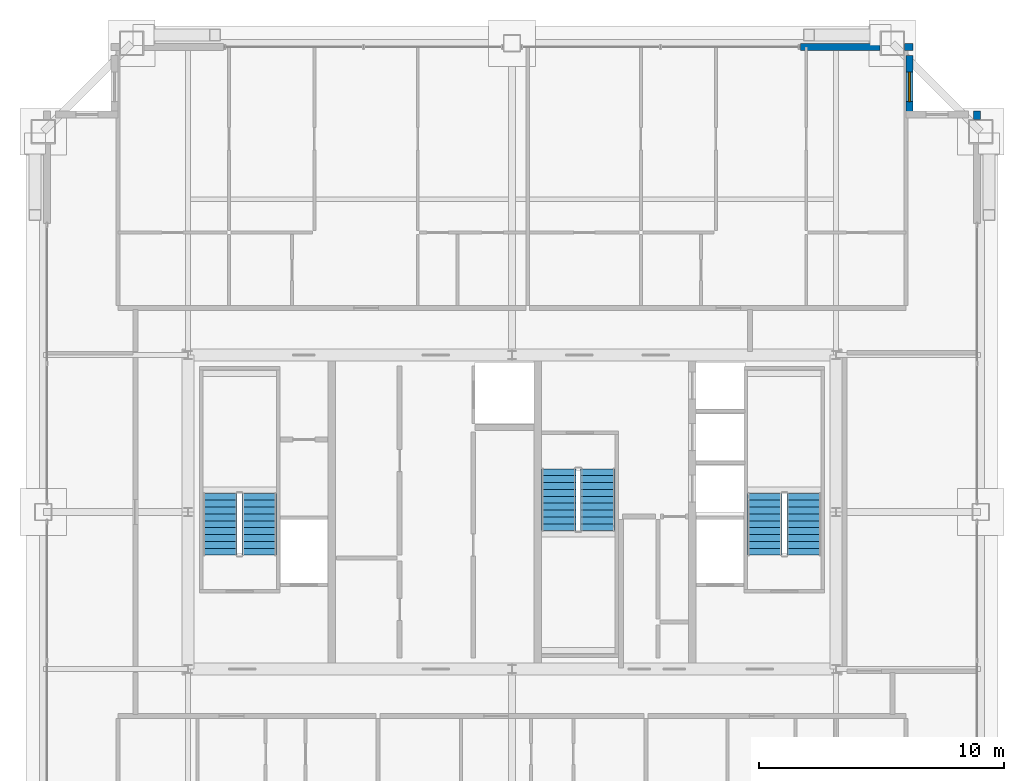
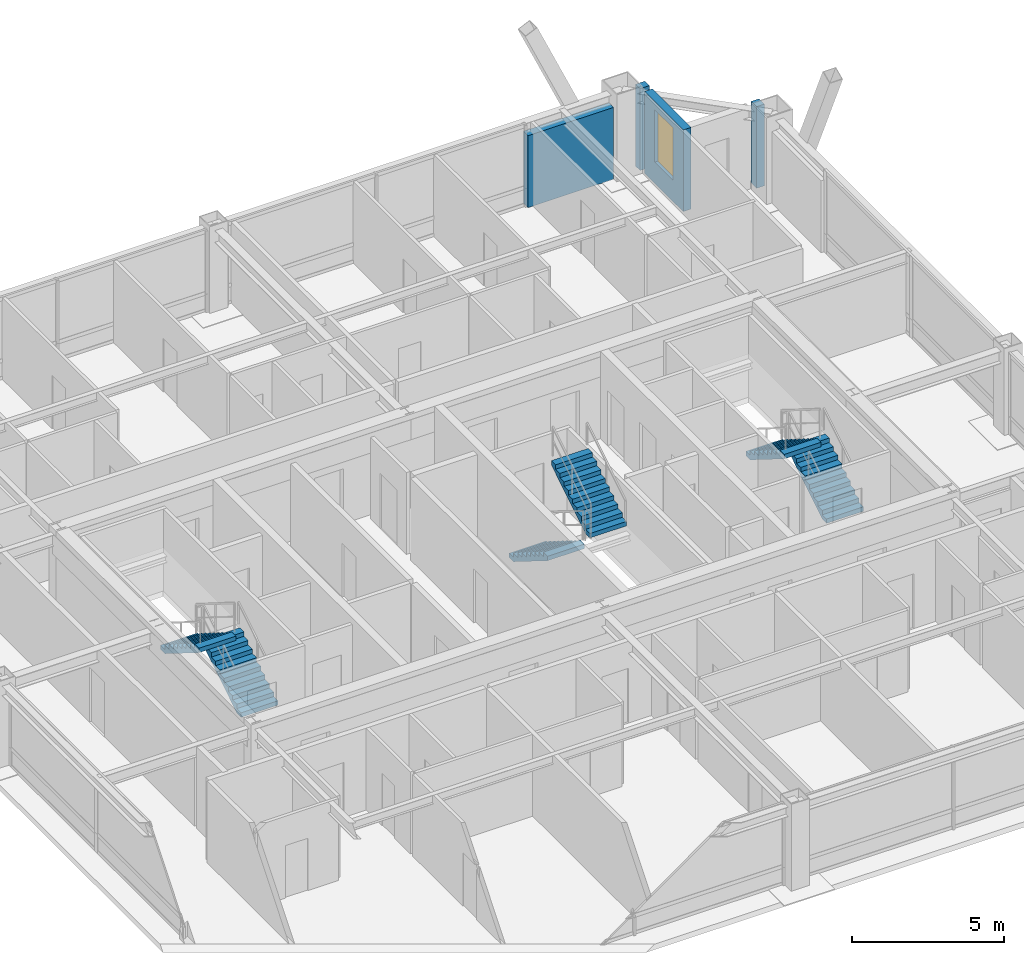
# One storey, part 34 of 35: 6 stair flights, 4 walls, 1 window, 1 opening, 3 elements without a shape of their own.
"""IFC4 building model written with IfcOpenShell, lengths in metres."""

import ifcopenshell
import ifcopenshell.guid

model = None  # the IFC model being written
_history = None  # IfcOwnerHistory: only IFC2X3 demands one
_inside = {}  # id of a spatial element -> (the spatial element, [elements in it])
_under = {}  # id of a project, library or spatial element -> (it, [spatial elements below it])
_declared = {}  # id of a project -> (the project, [libraries it declares])
_typed = {}  # id of a type object -> (the type object, [elements of that type])
_made_of = {}  # id of a material, layer set ... -> (it, [elements and type objects made of it])


def new_model(schema):
    """Start an empty IFC model of exactly this schema.

    Asked for "IFC4X3", IfcOpenShell would pick the latest addendum, in which some entities
    have other attributes; the version numbers below select the first issue.
    IFC2X3 requires an IfcOwnerHistory on every rooted entity: one is made here for all.
    """
    global model, _history
    if schema == "IFC4X3":
        model = ifcopenshell.file(schema_version=(4, 3, 0, 0))
    else:
        model = ifcopenshell.file(schema=schema)
    _inside.clear()
    _under.clear()
    _declared.clear()
    _typed.clear()
    _made_of.clear()
    _history = None
    if model.schema == "IFC2X3":
        org = make("IfcOrganization", Name="unknown")
        user = make(
            "IfcPersonAndOrganization",
            ThePerson=make("IfcPerson", FamilyName="unknown"),
            TheOrganization=org,
        )
        app = make(
            "IfcApplication",
            ApplicationDeveloper=org,
            Version="unknown",
            ApplicationFullName="unknown",
            ApplicationIdentifier="unknown",
        )
        _history = make(
            "IfcOwnerHistory",
            OwningUser=user,
            OwningApplication=app,
            ChangeAction="ADDED",
            CreationDate=0,
        )
    return model


def make(cls, **values):
    """One entity of the class cls with the attributes given. An attribute that is None is left unset."""
    return model.create_entity(
        cls, **{name: value for name, value in values.items() if value is not None}
    )


def rooted(cls, **values):
    """An entity with a GlobalId (a new one), such as an element, a storey or a relation."""
    return make(cls, GlobalId=ifcopenshell.guid.new(), OwnerHistory=_history, **values)


def si_unit(unit_type, name, prefix=None):
    """IfcSIUnit, for example si_unit("LENGTHUNIT", "METRE", prefix="MILLI")."""
    return make("IfcSIUnit", UnitType=unit_type, Prefix=prefix, Name=name)


def assignment(units):
    """IfcUnitAssignment: the units of a project."""
    return None if units is None else make("IfcUnitAssignment", Units=units)


def point(xyz):
    """IfcCartesianPoint."""
    return None if xyz is None else make("IfcCartesianPoint", Coordinates=xyz)


def direction(xyz):
    """IfcDirection."""
    return None if xyz is None else make("IfcDirection", DirectionRatios=xyz)


def frame(location, z_axis=None, x_axis=None):
    """IfcAxis2Placement3D, a coordinate frame: its origin and axes. An axis left out is left unset."""
    return make(
        "IfcAxis2Placement3D",
        Location=point(location),
        Axis=direction(z_axis),
        RefDirection=direction(x_axis),
    )


def frame_2d(location, x_axis=None):
    """IfcAxis2Placement2D, a coordinate frame in the plane: its origin and x axis."""
    return make(
        "IfcAxis2Placement2D", Location=point(location), RefDirection=direction(x_axis)
    )


def origin():
    """The frame at (0, 0, 0) with its axes left unset."""
    return frame((0.0, 0.0, 0.0))


def place(relative_to, where):
    """IfcLocalPlacement: puts the frame where relative to a parent placement (None: the world)."""
    return make(
        "IfcLocalPlacement", PlacementRelTo=relative_to, RelativePlacement=where
    )


def context(
    kind, dimensions, precision=None, world=None, true_north=None, identifier=None
):
    """IfcGeometricRepresentationContext, for example the 3D "Model" context."""
    return make(
        "IfcGeometricRepresentationContext",
        ContextIdentifier=identifier,
        ContextType=kind,
        CoordinateSpaceDimension=dimensions,
        Precision=precision,
        WorldCoordinateSystem=world,
        TrueNorth=true_north,
    )


def subcontext(parent, identifier, kind, view, scale=None):
    """IfcGeometricRepresentationSubContext, for example "Body" below "Model"."""
    return make(
        "IfcGeometricRepresentationSubContext",
        ContextIdentifier=identifier,
        ContextType=kind,
        ParentContext=parent,
        TargetScale=scale,
        TargetView=view,
    )


def project(units=None, contexts=None):
    """IfcProject with its units and contexts."""
    return rooted(
        "IfcProject",
        Name="project",
        RepresentationContexts=contexts,
        UnitsInContext=assignment(units),
    )


def spatial(cls, under=None, at=None, **own):
    """A site, building, storey or space (cls), placed at a placement, below another one or the project."""
    s = rooted(cls, ObjectPlacement=at, **own)
    if under is not None:
        _under.setdefault(under.id(), (under, []))[1].append(s)
    return s


def polyline(points):
    """IfcPolyline through the points."""
    return make("IfcPolyline", Points=[point(p) for p in points])


def profile(cls, at=None, kind="AREA", **sizes):
    """A parametric profile (cls). Its sizes go by their IFC names, for example OverallWidth=200.0."""
    return make(cls, ProfileType=kind, Position=at, **sizes)


def rectangle(**sizes):
    """IfcRectangleProfileDef."""
    return profile("IfcRectangleProfileDef", **sizes)


def outline(outer, holes=None, kind="AREA"):
    """IfcArbitraryClosedProfileDef: a profile drawn as a closed curve; with holes, ...WithVoids."""
    if holes is None:
        return make("IfcArbitraryClosedProfileDef", ProfileType=kind, OuterCurve=outer)
    return make(
        "IfcArbitraryProfileDefWithVoids",
        ProfileType=kind,
        OuterCurve=outer,
        InnerCurves=holes,
    )


def extrude(swept, where, along, depth):
    """IfcExtrudedAreaSolid: the profile swept, set in the frame where, extruded along a direction by depth."""
    return make(
        "IfcExtrudedAreaSolid",
        SweptArea=swept,
        Position=where,
        ExtrudedDirection=direction(along),
        Depth=depth,
    )


def shape(context_of_items, identifier, shape_type, items):
    """IfcShapeRepresentation: the items that make up one representation, for example the "Body"."""
    return make(
        "IfcShapeRepresentation",
        ContextOfItems=context_of_items,
        RepresentationIdentifier=identifier,
        RepresentationType=shape_type,
        Items=items,
    )


def source(mapping_origin, context_of_items, identifier, shape_type, items):
    """IfcRepresentationMap: a shape defined once, which mapped items show again and again."""
    return make(
        "IfcRepresentationMap",
        MappingOrigin=mapping_origin,
        MappedRepresentation=shape(context_of_items, identifier, shape_type, items),
    )


def transform(
    local_origin,
    x_axis=None,
    y_axis=None,
    z_axis=None,
    scale=None,
    scale2=None,
    scale3=None,
    uniform=True,
):
    """IfcCartesianTransformationOperator3D, or its non-uniform kind. x_axis, y_axis, z_axis: its Axis1, 2, 3."""
    if uniform:
        return make(
            "IfcCartesianTransformationOperator3D",
            Axis1=direction(x_axis),
            Axis2=direction(y_axis),
            LocalOrigin=point(local_origin),
            Scale=scale,
            Axis3=direction(z_axis),
        )
    return make(
        "IfcCartesianTransformationOperator3DnonUniform",
        Axis1=direction(x_axis),
        Axis2=direction(y_axis),
        LocalOrigin=point(local_origin),
        Scale=scale,
        Axis3=direction(z_axis),
        Scale2=scale2,
        Scale3=scale3,
    )


def mapped(mapping_source, mapping_target):
    """IfcMappedItem: shows the shape of a source again, moved by a transform."""
    return make(
        "IfcMappedItem", MappingSource=mapping_source, MappingTarget=mapping_target
    )


def material(Name=None, Category=None):
    """IfcMaterial."""
    return make("IfcMaterial", Name=Name, Category=Category)


def layer(
    of_material, thickness, ventilated=None, Name=None, Category=None, Priority=None
):
    """IfcMaterialLayer: one layer of a wall or slab, of a material (None: an air gap)."""
    return make(
        "IfcMaterialLayer",
        Material=of_material,
        LayerThickness=thickness,
        IsVentilated=ventilated,
        Name=Name,
        Category=Category,
        Priority=Priority,
    )


def layer_set(layers, Name=None):
    """IfcMaterialLayerSet."""
    return make("IfcMaterialLayerSet", MaterialLayers=layers, LayerSetName=Name)


def made_of(thing, what):
    """Note that an element or type object is made of a material, layer set ...; save() writes the relation."""
    if what is not None:
        _made_of.setdefault(what.id(), (what, []))[1].append(thing)
    return thing


def type_object(cls, material=None, **own):
    """A type object (cls), such as IfcWallType, which elements share."""
    return made_of(rooted(cls, **own), material)


def element(
    cls,
    number,
    at=None,
    inside=None,
    cuts=None,
    type_object=None,
    material=None,
    context=None,
    identifier="Body",
    shape_type=None,
    held_by="IfcProductDefinitionShape",
    body=None,
    shapes=None,
    **own,
):
    """One element of the class cls, such as IfcWall. Its Tag is "e" and its number.

    at: its placement. inside: the storey or other place that contains it. cuts: it is an
    opening in that element (IfcRelVoidsElement). A single representation is given by context,
    identifier, shape_type and body (its items); several are given by shapes. held_by: the class
    of the entity that holds the representations. save() writes the other relations.
    """
    e = rooted(cls, Tag="e%d" % number, ObjectPlacement=at, **own)
    if body is not None:
        shapes = [shape(context, identifier, shape_type, body)]
    if shapes is not None:
        e.Representation = make(held_by, Representations=shapes)
    if inside is not None:
        _inside.setdefault(inside.id(), (inside, []))[1].append(e)
    if cuts is not None:
        rooted(
            "IfcRelVoidsElement", RelatingBuildingElement=cuts, RelatedOpeningElement=e
        )
    if type_object is not None:
        _typed.setdefault(type_object.id(), (type_object, []))[1].append(e)
    return made_of(e, material)


def fill(opening, filler):
    """IfcRelFillsElement: the door or window that sits in an opening."""
    return rooted(
        "IfcRelFillsElement",
        RelatingOpeningElement=opening,
        RelatedBuildingElement=filler,
    )


def aggregate(whole, parts):
    """IfcRelAggregates: a whole, such as a stair, and the parts it consists of."""
    return rooted("IfcRelAggregates", RelatingObject=whole, RelatedObjects=parts)


def save(model, path):
    """Write the relations noted so far, then the file.

    IfcRelAggregates (storeys below a building ...), IfcRelContainedInSpatialStructure (elements
    in a storey), IfcRelDefinesByType, IfcRelAssociatesMaterial and IfcRelDeclares: one each for
    every whole, place, type object, material and project.
    """
    for whole, parts in _under.values():
        aggregate(whole, parts)
    for where, things in _inside.values():
        rooted(
            "IfcRelContainedInSpatialStructure",
            RelatedElements=things,
            RelatingStructure=where,
        )
    for kind, things in _typed.values():
        rooted("IfcRelDefinesByType", RelatedObjects=things, RelatingType=kind)
    for what, things in _made_of.values():
        rooted("IfcRelAssociatesMaterial", RelatedObjects=things, RelatingMaterial=what)
    for by, libraries in _declared.values():
        rooted("IfcRelDeclares", RelatingContext=by, RelatedDefinitions=libraries)
    model.write(path)


model = new_model("IFC4")

# Units and contexts
model_context = context("Model", 3, precision=1e-05, world=origin(), true_north=direction((0.0, 1.0)))
body_context = subcontext(model_context, "Body", "Model", "MODEL_VIEW")
ifc_project = project(units=[si_unit("LENGTHUNIT", "METRE"), si_unit("AREAUNIT", "SQUARE_METRE"), si_unit("VOLUMEUNIT", "CUBIC_METRE"), si_unit("PLANEANGLEUNIT", "RADIAN"), si_unit("MASSUNIT", "GRAM", prefix="KILO"), si_unit("THERMODYNAMICTEMPERATUREUNIT", "KELVIN"), si_unit("POWERUNIT", "WATT")], contexts=[model_context])

# Site, building, storey
site_placement = place(None, origin())
site = spatial("IfcSite", under=ifc_project, at=site_placement, CompositionType="ELEMENT")
building_placement = place(site_placement, origin())
building = spatial("IfcBuilding", under=site, at=building_placement, Name="Yuzanri Waterfront Tower", CompositionType="ELEMENT")
storey_placement = place(building_placement, frame((0.0, 0.0, 285.60009765625)))
storey = spatial("IfcBuildingStorey", under=building, at=storey_placement, Name="L76", CompositionType="ELEMENT", Elevation=285.60009765625)

# Wall, opening, window
ifc_material_1 = material(Name="Honed Chongqing Dark Basalt Stone", Category="masonry")
ifc_layer = layer(ifc_material_1, 0.300048828125)
ifc_layer_set = layer_set([ifc_layer], Name="Honed Chongqing Dark Basalt Stone")
wall_type = type_object("IfcWallType", Name="Bronze Rainscreen Insulated Spandrel Portal Wall 300", PredefinedType="SOLIDWALL", material=ifc_layer_set)
wall_1_placement = place(storey_placement, frame((53.199951171875, 41.85009765625, 0.0), z_axis=(0.0, 0.0, 1.0), x_axis=(0.0, 1.0, 0.0)))
wall_1 = element("IfcWall", 1, at=wall_1_placement, inside=storey, type_object=wall_type, Name="L76 Notched Corner Masonry Wall NE-Y", PredefinedType="SOLIDWALL", context=body_context, shape_type="SweptSolid", body=[
    extrude(rectangle(XDim=2.5498046875, YDim=0.300048828125, at=frame_2d((1.27490234375, 0.0))), origin(), (0.0, 0.0, 1.0), 3.27978515625),
])
opening_placement = place(wall_1_placement, frame((0.675048828125, 0.0, 0.85009765625)))
opening = element("IfcOpeningElement", 2, at=opening_placement, cuts=wall_1, Name="Opening WN-02", PredefinedType="OPENING", context=body_context, shape_type="SweptSolid", body=[
    extrude(rectangle(XDim=1.199951171875, YDim=2.10009765625, at=frame_2d((0.60009765625, 1.050048828125))), frame((0.0, 0.1650390625, 0.0), z_axis=(0.0, -1.0, 0.0), x_axis=(1.0, 0.0, 0.0)), (0.0, 0.0, 1.0), 0.329833984375),
])
ifc_material_2 = material(Name="Double-Silver Low-E Insulated Glass", Category="glass")
window_type = type_object("IfcWindowType", Name="Anodized Bronze Notched Corner Deep-Set Slot Window 1200x2100", PartitioningType="SINGLE_PANEL", PredefinedType="WINDOW", material=ifc_material_2)
shared_shape_1 = source(origin(), body_context, "Body", "SweptSolid", [
    extrude(rectangle(XDim=1.199951171875, YDim=2.10009765625, at=frame_2d((0.60009765625, 1.050048828125))), frame((0.0, 0.030029296875, 0.0), z_axis=(0.0, -1.0, 0.0), x_axis=(1.0, 0.0, 0.0)), (0.0, 0.0, 1.0), 0.06005859375),
])
window_placement = place(opening_placement, origin())
window = element("IfcWindow", 3, at=window_placement, inside=storey, type_object=window_type, Name="L76 Notched Corner Window NE-Y", OverallHeight=2.10009765625, OverallWidth=1.199951171875, PartitioningType="SINGLE_PANEL", PredefinedType="WINDOW", context=body_context, shape_type="MappedRepresentation", body=[
    mapped(shared_shape_1, transform((0.0, 0.0, 0.0), scale=1.0)),
])
fill(opening, window)

# Walls
shared_shape_2 = source(origin(), body_context, "Body", "SweptSolid", [
    extrude(rectangle(XDim=0.35009765625, YDim=0.300048828125, at=frame_2d((0.175048828125, 0.0))), origin(), (0.0, 0.0, 1.0), 3.27978515625),
])
wall_2_placement = place(storey_placement, frame((53.0, 44.75, 0.0), z_axis=(0.0, 0.0, 1.0), x_axis=(1.0, 0.0, 0.0)))
element("IfcWall", 4, at=wall_2_placement, inside=storey, type_object=wall_type, Name="L76 Corner Column Shoulder Return CNE", PredefinedType="SOLIDWALL", context=body_context, shape_type="MappedRepresentation", body=[
    mapped(shared_shape_2, transform((0.0, 0.0, 0.0), scale=1.0)),
])
shared_shape_3 = source(origin(), body_context, "Body", "SweptSolid", [
    extrude(rectangle(XDim=0.349853515625, YDim=0.300048828125, at=frame_2d((0.1748046875, 0.0))), origin(), (0.0, 0.0, 1.0), 3.27978515625),
])
wall_3_placement = place(storey_placement, frame((55.949951171875, 41.800048828125, 0.0), z_axis=(0.0, 0.0, 1.0), x_axis=(0.0, 1.0, 0.0)))
element("IfcWall", 5, at=wall_3_placement, inside=storey, type_object=wall_type, Name="L76 Corner Column Shoulder Return CEN", PredefinedType="SOLIDWALL", context=body_context, shape_type="MappedRepresentation", body=[
    mapped(shared_shape_3, transform((0.0, 0.0, 0.0), scale=1.0)),
])
shared_shape_4 = source(origin(), body_context, "Body", "SweptSolid", [
    extrude(rectangle(XDim=3.25, YDim=0.300048828125, at=frame_2d((1.625, 0.0))), origin(), (0.0, 0.0, 1.0), 2.885009765625),
])
wall_4_placement = place(storey_placement, frame((48.75, 44.75, 0.0), z_axis=(0.0, 0.0, 1.0), x_axis=(1.0, 0.0, 0.0)))
element("IfcWall", 6, at=wall_4_placement, inside=storey, type_object=wall_type, Name="L76 N Right Braced Masonry Shoulder", PredefinedType="SOLIDWALL", context=body_context, shape_type="MappedRepresentation", body=[
    mapped(shared_shape_4, transform((0.0, 0.0, 0.0), scale=1.0)),
])

# Stair, stair flights
ifc_material_3 = material(Name="Concrete C40", Category="concrete")
stair_type = type_object("IfcStairType", Name="Concrete C40 Core Dogleg Exit Stair", PredefinedType="HALF_TURN_STAIR", material=ifc_material_3)
stair_1_placement = place(storey_placement, origin())
stair_1 = element("IfcStair", 7, at=stair_1_placement, inside=storey, type_object=stair_type, Name="L76 Smoke-Proof Core Stair ST-01", PredefinedType="HALF_TURN_STAIR")
ifc_material_4 = material(Name="Concrete C40", Category="concrete")
stair_flight_type = type_object("IfcStairFlightType", Name="Concrete C40 Precast Stair Flight 1380", PredefinedType="STRAIGHT", material=ifc_material_4)
shared_shape_5 = source(origin(), body_context, "Body", "SweptSolid", [
    extrude(outline(polyline([(0.0, 0.0), (0.0, 0.175048828125), (0.280029296875, 0.175048828125), (0.280029296875, 0.35009765625), (0.56005859375, 0.35009765625), (0.56005859375, 0.52490234375), (0.840087890625, 0.52490234375), (0.840087890625, 0.699951171875), (1.1201171875, 0.699951171875), (1.1201171875, 0.875), (1.39990234375, 0.875), (1.39990234375, 1.050048828125), (1.679931640625, 1.050048828125), (1.679931640625, 1.22509765625), (1.9599609375, 1.22509765625), (1.9599609375, 1.39990234375), (2.239990234375, 1.39990234375), (2.239990234375, 1.574951171875), (2.52001953125, 1.574951171875), (2.52001953125, 1.75), (2.52001953125, 1.398193359375), (0.28271484375, 0.0), (0.0, 0.0)])), frame((0.0, 0.699951171875, 0.0), z_axis=(0.0, -1.0, 0.0), x_axis=(1.0, 0.0, 0.0)), (0.0, 0.0, 1.0), 1.39990234375),
])
stair_flight_1_placement = place(storey_placement, frame((26.699951171875, 24.0400390625, 0.0), z_axis=(0.0, 0.0, 1.0), x_axis=(0.0, 1.0, 0.0)))
stair_flight_1 = element("IfcStairFlight", 8, at=stair_flight_1_placement, type_object=stair_flight_type, Name="ST-01 flight 1", NumberOfRisers=10, NumberOfTreads=9, PredefinedType="STRAIGHT", RiserHeight=0.175, TreadLength=0.28, context=body_context, shape_type="MappedRepresentation", body=[
    mapped(shared_shape_5, transform((0.0, 0.0, 0.0), scale=1.0)),
])
stair_flight_2_placement = place(storey_placement, frame((25.10009765625, 26.56005859375, 1.75), z_axis=(0.0, 0.0, 1.0), x_axis=(0.0, -1.0, 0.0)))
stair_flight_2 = element("IfcStairFlight", 9, at=stair_flight_2_placement, type_object=stair_flight_type, Name="ST-01 flight 2", NumberOfRisers=10, NumberOfTreads=9, PredefinedType="STRAIGHT", RiserHeight=0.175, TreadLength=0.28, context=body_context, shape_type="MappedRepresentation", body=[
    mapped(shared_shape_5, transform((0.0, 0.0, 0.0), scale=1.0)),
])
aggregate(stair_1, [stair_flight_1, stair_flight_2])

stair_2_placement = place(storey_placement, origin())
stair_2 = element("IfcStair", 10, at=stair_2_placement, inside=storey, type_object=stair_type, Name="L76 Smoke-Proof Core Stair ST-02", PredefinedType="HALF_TURN_STAIR")
stair_flight_3_placement = place(storey_placement, frame((48.89990234375, 24.0400390625, 0.0), z_axis=(0.0, 0.0, 1.0), x_axis=(0.0, 1.0, 0.0)))
stair_flight_3 = element("IfcStairFlight", 11, at=stair_flight_3_placement, type_object=stair_flight_type, Name="ST-02 flight 1", NumberOfRisers=10, NumberOfTreads=9, PredefinedType="STRAIGHT", RiserHeight=0.175, TreadLength=0.28, context=body_context, shape_type="MappedRepresentation", body=[
    mapped(shared_shape_5, transform((0.0, 0.0, 0.0), scale=1.0)),
])
stair_flight_4_placement = place(storey_placement, frame((47.300048828125, 26.56005859375, 1.75), z_axis=(0.0, 0.0, 1.0), x_axis=(0.0, -1.0, 0.0)))
stair_flight_4 = element("IfcStairFlight", 12, at=stair_flight_4_placement, type_object=stair_flight_type, Name="ST-02 flight 2", NumberOfRisers=10, NumberOfTreads=9, PredefinedType="STRAIGHT", RiserHeight=0.175, TreadLength=0.28, context=body_context, shape_type="MappedRepresentation", body=[
    mapped(shared_shape_5, transform((0.0, 0.0, 0.0), scale=1.0)),
])
aggregate(stair_2, [stair_flight_3, stair_flight_4])

stair_3_placement = place(storey_placement, origin())
stair_3 = element("IfcStair", 13, at=stair_3_placement, inside=storey, type_object=stair_type, Name="L76 Smoke-Proof Core Stair ST-03", PredefinedType="HALF_TURN_STAIR")
stair_flight_5_placement = place(storey_placement, frame((38.89990234375, 27.56005859375, 0.0), z_axis=(0.0, 0.0, 1.0), x_axis=(0.0, -1.0, 0.0)))
stair_flight_5 = element("IfcStairFlight", 14, at=stair_flight_5_placement, type_object=stair_flight_type, Name="ST-03 flight 1", NumberOfRisers=10, NumberOfTreads=9, PredefinedType="STRAIGHT", RiserHeight=0.175, TreadLength=0.28, context=body_context, shape_type="MappedRepresentation", body=[
    mapped(shared_shape_5, transform((0.0, 0.0, 0.0), scale=1.0)),
])
stair_flight_6_placement = place(storey_placement, frame((40.5, 25.0400390625, 1.75), z_axis=(0.0, 0.0, 1.0), x_axis=(0.0, 1.0, 0.0)))
stair_flight_6 = element("IfcStairFlight", 15, at=stair_flight_6_placement, type_object=stair_flight_type, Name="ST-03 flight 2", NumberOfRisers=10, NumberOfTreads=9, PredefinedType="STRAIGHT", RiserHeight=0.175, TreadLength=0.28, context=body_context, shape_type="MappedRepresentation", body=[
    mapped(shared_shape_5, transform((0.0, 0.0, 0.0), scale=1.0)),
])
aggregate(stair_3, [stair_flight_5, stair_flight_6])

save(model, "model.ifc")
